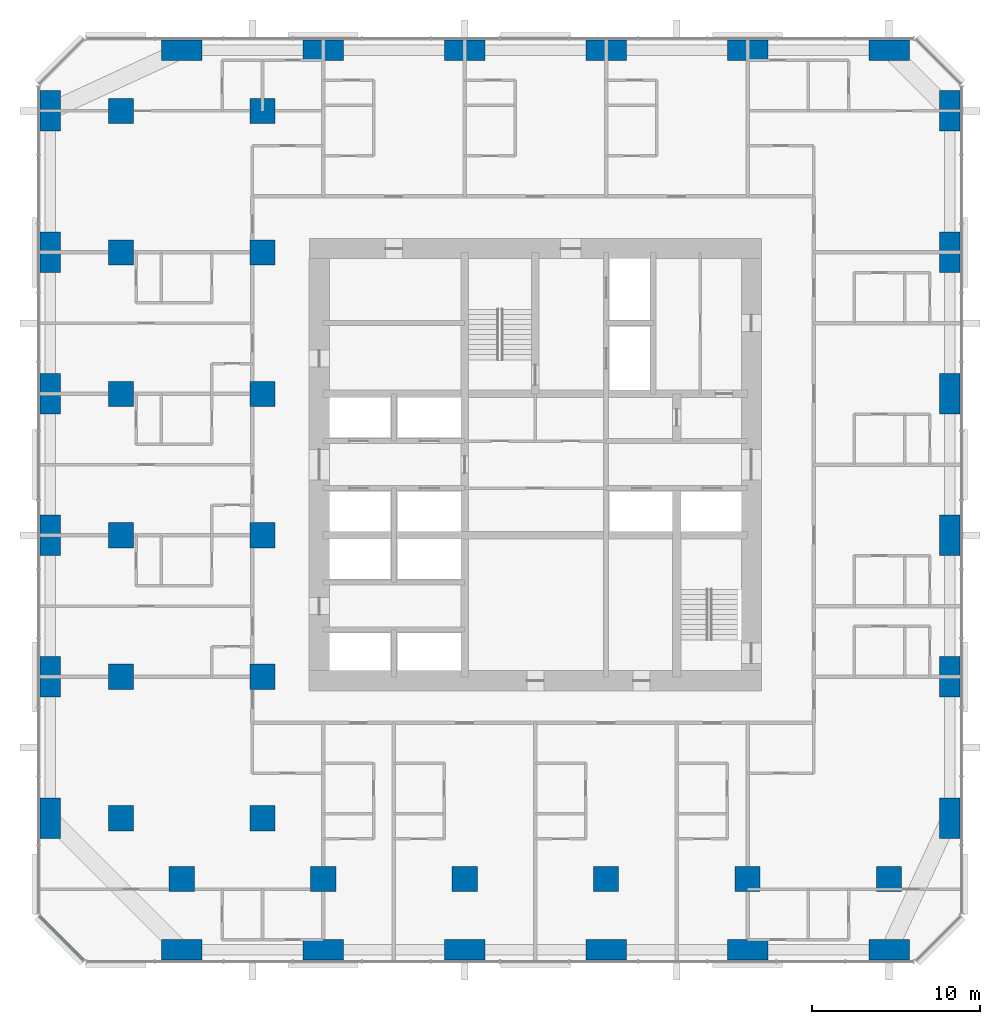
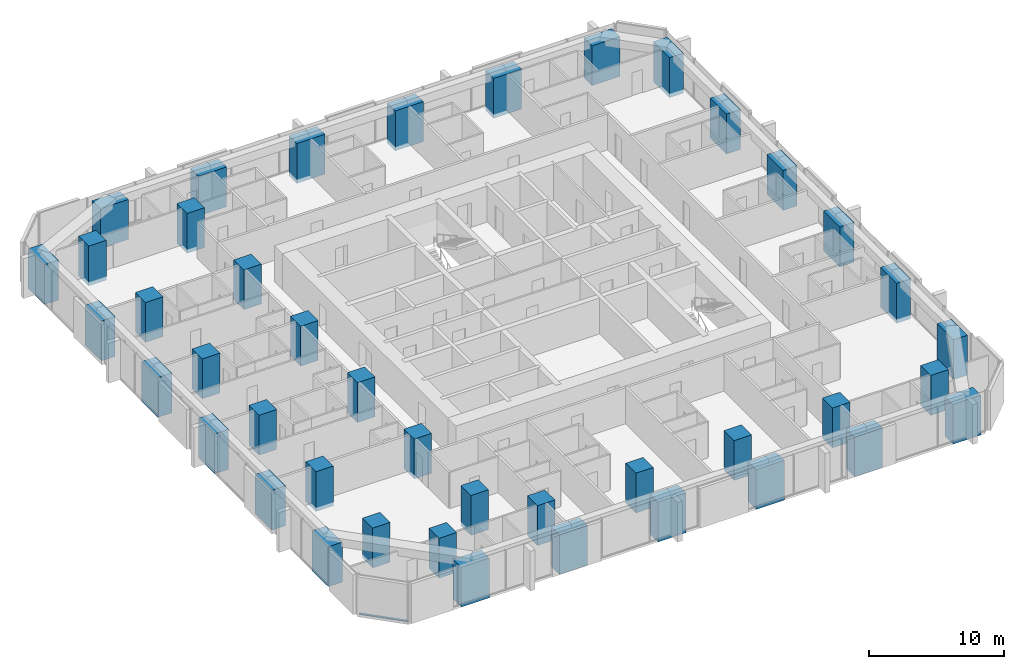
# One storey, part 1 of 14: 42 columns, 1 member, 1 element without a shape of its own.
"""IFC4 building model written with IfcOpenShell, lengths in metres."""

import ifcopenshell
import ifcopenshell.guid

model = None  # the IFC model being written
_history = None  # IfcOwnerHistory: only IFC2X3 demands one
_inside = {}  # id of a spatial element -> (the spatial element, [elements in it])
_under = {}  # id of a project, library or spatial element -> (it, [spatial elements below it])
_declared = {}  # id of a project -> (the project, [libraries it declares])
_typed = {}  # id of a type object -> (the type object, [elements of that type])
_made_of = {}  # id of a material, layer set ... -> (it, [elements and type objects made of it])


def new_model(schema):
    """Start an empty IFC model of exactly this schema.

    Asked for "IFC4X3", IfcOpenShell would pick the latest addendum, in which some entities
    have other attributes; the version numbers below select the first issue.
    IFC2X3 requires an IfcOwnerHistory on every rooted entity: one is made here for all.
    """
    global model, _history
    if schema == "IFC4X3":
        model = ifcopenshell.file(schema_version=(4, 3, 0, 0))
    else:
        model = ifcopenshell.file(schema=schema)
    _inside.clear()
    _under.clear()
    _declared.clear()
    _typed.clear()
    _made_of.clear()
    _history = None
    if model.schema == "IFC2X3":
        org = make("IfcOrganization", Name="unknown")
        user = make(
            "IfcPersonAndOrganization",
            ThePerson=make("IfcPerson", FamilyName="unknown"),
            TheOrganization=org,
        )
        app = make(
            "IfcApplication",
            ApplicationDeveloper=org,
            Version="unknown",
            ApplicationFullName="unknown",
            ApplicationIdentifier="unknown",
        )
        _history = make(
            "IfcOwnerHistory",
            OwningUser=user,
            OwningApplication=app,
            ChangeAction="ADDED",
            CreationDate=0,
        )
    return model


def make(cls, **values):
    """One entity of the class cls with the attributes given. An attribute that is None is left unset."""
    return model.create_entity(
        cls, **{name: value for name, value in values.items() if value is not None}
    )


def rooted(cls, **values):
    """An entity with a GlobalId (a new one), such as an element, a storey or a relation."""
    return make(cls, GlobalId=ifcopenshell.guid.new(), OwnerHistory=_history, **values)


def si_unit(unit_type, name, prefix=None):
    """IfcSIUnit, for example si_unit("LENGTHUNIT", "METRE", prefix="MILLI")."""
    return make("IfcSIUnit", UnitType=unit_type, Prefix=prefix, Name=name)


def assignment(units):
    """IfcUnitAssignment: the units of a project."""
    return None if units is None else make("IfcUnitAssignment", Units=units)


def point(xyz):
    """IfcCartesianPoint."""
    return None if xyz is None else make("IfcCartesianPoint", Coordinates=xyz)


def direction(xyz):
    """IfcDirection."""
    return None if xyz is None else make("IfcDirection", DirectionRatios=xyz)


def frame(location, z_axis=None, x_axis=None):
    """IfcAxis2Placement3D, a coordinate frame: its origin and axes. An axis left out is left unset."""
    return make(
        "IfcAxis2Placement3D",
        Location=point(location),
        Axis=direction(z_axis),
        RefDirection=direction(x_axis),
    )


def frame_2d(location, x_axis=None):
    """IfcAxis2Placement2D, a coordinate frame in the plane: its origin and x axis."""
    return make(
        "IfcAxis2Placement2D", Location=point(location), RefDirection=direction(x_axis)
    )


def origin():
    """The frame at (0, 0, 0) with its axes left unset."""
    return frame((0.0, 0.0, 0.0))


def origin_2d():
    """The frame at (0, 0) in the plane with its x axis left unset."""
    return frame_2d((0.0, 0.0))


def place(relative_to, where):
    """IfcLocalPlacement: puts the frame where relative to a parent placement (None: the world)."""
    return make(
        "IfcLocalPlacement", PlacementRelTo=relative_to, RelativePlacement=where
    )


def context(
    kind, dimensions, precision=None, world=None, true_north=None, identifier=None
):
    """IfcGeometricRepresentationContext, for example the 3D "Model" context."""
    return make(
        "IfcGeometricRepresentationContext",
        ContextIdentifier=identifier,
        ContextType=kind,
        CoordinateSpaceDimension=dimensions,
        Precision=precision,
        WorldCoordinateSystem=world,
        TrueNorth=true_north,
    )


def subcontext(parent, identifier, kind, view, scale=None):
    """IfcGeometricRepresentationSubContext, for example "Body" below "Model"."""
    return make(
        "IfcGeometricRepresentationSubContext",
        ContextIdentifier=identifier,
        ContextType=kind,
        ParentContext=parent,
        TargetScale=scale,
        TargetView=view,
    )


def project(units=None, contexts=None):
    """IfcProject with its units and contexts."""
    return rooted(
        "IfcProject",
        Name="project",
        RepresentationContexts=contexts,
        UnitsInContext=assignment(units),
    )


def spatial(cls, under=None, at=None, **own):
    """A site, building, storey or space (cls), placed at a placement, below another one or the project."""
    s = rooted(cls, ObjectPlacement=at, **own)
    if under is not None:
        _under.setdefault(under.id(), (under, []))[1].append(s)
    return s


def profile(cls, at=None, kind="AREA", **sizes):
    """A parametric profile (cls). Its sizes go by their IFC names, for example OverallWidth=200.0."""
    return make(cls, ProfileType=kind, Position=at, **sizes)


def rectangle(**sizes):
    """IfcRectangleProfileDef."""
    return profile("IfcRectangleProfileDef", **sizes)


def extrude(swept, where, along, depth):
    """IfcExtrudedAreaSolid: the profile swept, set in the frame where, extruded along a direction by depth."""
    return make(
        "IfcExtrudedAreaSolid",
        SweptArea=swept,
        Position=where,
        ExtrudedDirection=direction(along),
        Depth=depth,
    )


def shape(context_of_items, identifier, shape_type, items):
    """IfcShapeRepresentation: the items that make up one representation, for example the "Body"."""
    return make(
        "IfcShapeRepresentation",
        ContextOfItems=context_of_items,
        RepresentationIdentifier=identifier,
        RepresentationType=shape_type,
        Items=items,
    )


def material(Name=None, Category=None):
    """IfcMaterial."""
    return make("IfcMaterial", Name=Name, Category=Category)


def material_profile(
    of_material, cross_section, Name=None, Category=None, Priority=None
):
    """IfcMaterialProfile: a cross section and its material."""
    return make(
        "IfcMaterialProfile",
        Name=Name,
        Material=of_material,
        Profile=cross_section,
        Priority=Priority,
        Category=Category,
    )


def profile_set(profiles, Name=None, composite=None):
    """IfcMaterialProfileSet."""
    return make(
        "IfcMaterialProfileSet",
        Name=Name,
        MaterialProfiles=profiles,
        CompositeProfile=composite,
    )


def made_of(thing, what):
    """Note that an element or type object is made of a material, layer set ...; save() writes the relation."""
    if what is not None:
        _made_of.setdefault(what.id(), (what, []))[1].append(thing)
    return thing


def type_object(cls, material=None, **own):
    """A type object (cls), such as IfcWallType, which elements share."""
    return made_of(rooted(cls, **own), material)


def element(
    cls,
    number,
    at=None,
    inside=None,
    cuts=None,
    type_object=None,
    material=None,
    context=None,
    identifier="Body",
    shape_type=None,
    held_by="IfcProductDefinitionShape",
    body=None,
    shapes=None,
    **own,
):
    """One element of the class cls, such as IfcWall. Its Tag is "e" and its number.

    at: its placement. inside: the storey or other place that contains it. cuts: it is an
    opening in that element (IfcRelVoidsElement). A single representation is given by context,
    identifier, shape_type and body (its items); several are given by shapes. held_by: the class
    of the entity that holds the representations. save() writes the other relations.
    """
    e = rooted(cls, Tag="e%d" % number, ObjectPlacement=at, **own)
    if body is not None:
        shapes = [shape(context, identifier, shape_type, body)]
    if shapes is not None:
        e.Representation = make(held_by, Representations=shapes)
    if inside is not None:
        _inside.setdefault(inside.id(), (inside, []))[1].append(e)
    if cuts is not None:
        rooted(
            "IfcRelVoidsElement", RelatingBuildingElement=cuts, RelatedOpeningElement=e
        )
    if type_object is not None:
        _typed.setdefault(type_object.id(), (type_object, []))[1].append(e)
    return made_of(e, material)


def aggregate(whole, parts):
    """IfcRelAggregates: a whole, such as a stair, and the parts it consists of."""
    return rooted("IfcRelAggregates", RelatingObject=whole, RelatedObjects=parts)


def save(model, path):
    """Write the relations noted so far, then the file.

    IfcRelAggregates (storeys below a building ...), IfcRelContainedInSpatialStructure (elements
    in a storey), IfcRelDefinesByType, IfcRelAssociatesMaterial and IfcRelDeclares: one each for
    every whole, place, type object, material and project.
    """
    for whole, parts in _under.values():
        aggregate(whole, parts)
    for where, things in _inside.values():
        rooted(
            "IfcRelContainedInSpatialStructure",
            RelatedElements=things,
            RelatingStructure=where,
        )
    for kind, things in _typed.values():
        rooted("IfcRelDefinesByType", RelatedObjects=things, RelatingType=kind)
    for what, things in _made_of.values():
        rooted("IfcRelAssociatesMaterial", RelatedObjects=things, RelatingMaterial=what)
    for by, libraries in _declared.values():
        rooted("IfcRelDeclares", RelatingContext=by, RelatedDefinitions=libraries)
    model.write(path)


model = new_model("IFC4")

# Units and contexts
model_context = context("Model", 3, precision=1e-05, world=origin(), true_north=direction((0.0, 1.0)))
body_context = subcontext(model_context, "Body", "Model", "MODEL_VIEW")
ifc_project = project(units=[si_unit("LENGTHUNIT", "METRE"), si_unit("AREAUNIT", "SQUARE_METRE"), si_unit("VOLUMEUNIT", "CUBIC_METRE"), si_unit("PLANEANGLEUNIT", "RADIAN"), si_unit("MASSUNIT", "GRAM", prefix="KILO")], contexts=[model_context])

# Site, building, storey
site_placement = place(None, origin())
site = spatial("IfcSite", under=ifc_project, at=site_placement, CompositionType="ELEMENT")
building_placement = place(site_placement, origin())
building = spatial("IfcBuilding", under=site, at=building_placement, Name="Dunama Terrace Hotel", CompositionType="ELEMENT")
storey_placement = place(building_placement, frame((0.0, 0.0, 108.0)))
storey = spatial("IfcBuildingStorey", under=building, at=storey_placement, Name="L27", CompositionType="ELEMENT", Elevation=108.0)

# Columns
ifc_material_1 = material(Name="Concrete C60/75", Category="concrete")
ifc_material_profile_1 = material_profile(ifc_material_1, rectangle(XDim=1.199951171875, YDim=2.39990234375, at=origin_2d()), Name="RC 1200x2400")
ifc_profile_set_1 = profile_set([ifc_material_profile_1], Name="Concrete C60/75")
column_type_1 = type_object("IfcColumnType", Name="Column RC 1200x2400", PredefinedType="COLUMN", material=ifc_profile_set_1)
for number, where, z_axis, x_axis, name in (
    (1, (0.60009765625, 8.39990234375, -0.35009765625), (0.0, 0.0, 1.0), (1.0, 0.0, 0.0), "Column L27 +0.6/+8.4"),
    (2, (0.60009765625, 16.800048828125, -0.35009765625), (0.0, 0.0, 1.0), (1.0, 0.0, 0.0), "Column L27 +0.6/+16.8"),
    (3, (0.60009765625, 25.199951171875, -0.35009765625), (0.0, 0.0, 1.0), (1.0, 0.0, 0.0), "Column L27 +0.6/+25.2"),
    (4, (0.60009765625, 33.60009765625, -0.35009765625), (0.0, 0.0, 1.0), (1.0, 0.0, 0.0), "Column L27 +0.6/+33.6"),
    (5, (0.60009765625, 42.0, -0.35009765625), (0.0, 0.0, 1.0), (1.0, 0.0, 0.0), "Column L27 +0.6/+42.0"),
    (6, (0.60009765625, 50.39990234375, -0.35009765625), (0.0, 0.0, 1.0), (1.0, 0.0, 0.0), "Column L27 +0.6/+50.4"),
    (7, (54.0, 8.39990234375, -0.35009765625), (0.0, 0.0, 1.0), (1.0, 0.0, 0.0), "Column L27 +54.0/+8.4"),
    (8, (54.0, 16.800048828125, -0.35009765625), (0.0, 0.0, 1.0), (1.0, 0.0, 0.0), "Column L27 +54.0/+16.8"),
    (9, (54.0, 25.199951171875, -0.35009765625), (0.0, 0.0, 1.0), (1.0, 0.0, 0.0), "Column L27 +54.0/+25.2"),
    (10, (54.0, 33.60009765625, -0.35009765625), (0.0, 0.0, 1.0), (1.0, 0.0, 0.0), "Column L27 +54.0/+33.6"),
    (11, (54.0, 42.0, -0.35009765625), (0.0, 0.0, 1.0), (1.0, 0.0, 0.0), "Column L27 +54.0/+42.0"),
    (12, (54.0, 50.39990234375, -0.35009765625), (0.0, 0.0, 1.0), (1.0, 0.0, 0.0), "Column L27 +54.0/+50.4"),
):
    element("IfcColumn", number, at=place(storey_placement, frame(where, z_axis=z_axis, x_axis=x_axis)), inside=storey, type_object=column_type_1, Name=name, PredefinedType="COLUMN", context=body_context, shape_type="SweptSolid", body=[
        extrude(rectangle(XDim=1.199951171875, YDim=2.39990234375, at=origin_2d()), origin(), (0.0, 0.0, 1.0), 3.60009765625),
    ])
ifc_material_2 = material(Name="Concrete C60/75", Category="concrete")
ifc_material_profile_2 = material_profile(ifc_material_2, rectangle(XDim=1.5, YDim=1.5, at=origin_2d()), Name="RC 1500x1500")
ifc_profile_set_2 = profile_set([ifc_material_profile_2], Name="Concrete C60/75")
column_type_2 = type_object("IfcColumnType", Name="Column RC 1500x1500", PredefinedType="COLUMN", material=ifc_profile_set_2)
for number, where, z_axis, x_axis, name in (
    (13, (4.800048828125, 8.39990234375, -0.35009765625), (0.0, 0.0, 1.0), (1.0, 0.0, 0.0), "Column L27 +4.8/+8.4"),
    (14, (4.800048828125, 16.800048828125, -0.35009765625), (0.0, 0.0, 1.0), (1.0, 0.0, 0.0), "Column L27 +4.8/+16.8"),
    (15, (4.800048828125, 25.199951171875, -0.35009765625), (0.0, 0.0, 1.0), (1.0, 0.0, 0.0), "Column L27 +4.8/+25.2"),
    (16, (4.800048828125, 33.60009765625, -0.35009765625), (0.0, 0.0, 1.0), (1.0, 0.0, 0.0), "Column L27 +4.8/+33.6"),
    (17, (4.800048828125, 42.0, -0.35009765625), (0.0, 0.0, 1.0), (1.0, 0.0, 0.0), "Column L27 +4.8/+42.0"),
    (18, (4.800048828125, 50.39990234375, -0.35009765625), (0.0, 0.0, 1.0), (1.0, 0.0, 0.0), "Column L27 +4.8/+50.4"),
    (19, (8.39990234375, 4.800048828125, -0.35009765625), (0.0, 0.0, 1.0), (1.0, 0.0, 0.0), "Column L27 +8.4/+4.8"),
    (20, (13.199951171875, 8.39990234375, -0.35009765625), (0.0, 0.0, 1.0), (1.0, 0.0, 0.0), "Column L27 +13.2/+8.4"),
    (21, (13.199951171875, 16.800048828125, -0.35009765625), (0.0, 0.0, 1.0), (1.0, 0.0, 0.0), "Column L27 +13.2/+16.8"),
    (22, (13.199951171875, 25.199951171875, -0.35009765625), (0.0, 0.0, 1.0), (1.0, 0.0, 0.0), "Column L27 +13.2/+25.2"),
    (23, (13.199951171875, 33.60009765625, -0.35009765625), (0.0, 0.0, 1.0), (1.0, 0.0, 0.0), "Column L27 +13.2/+33.6"),
    (24, (13.199951171875, 42.0, -0.35009765625), (0.0, 0.0, 1.0), (1.0, 0.0, 0.0), "Column L27 +13.2/+42.0"),
    (25, (13.199951171875, 50.39990234375, -0.35009765625), (0.0, 0.0, 1.0), (1.0, 0.0, 0.0), "Column L27 +13.2/+50.4"),
    (26, (16.800048828125, 4.800048828125, -0.35009765625), (0.0, 0.0, 1.0), (1.0, 0.0, 0.0), "Column L27 +16.8/+4.8"),
    (27, (25.199951171875, 4.800048828125, -0.35009765625), (0.0, 0.0, 1.0), (1.0, 0.0, 0.0), "Column L27 +25.2/+4.8"),
    (28, (33.60009765625, 4.800048828125, -0.35009765625), (0.0, 0.0, 1.0), (1.0, 0.0, 0.0), "Column L27 +33.6/+4.8"),
    (29, (42.0, 4.800048828125, -0.35009765625), (0.0, 0.0, 1.0), (1.0, 0.0, 0.0), "Column L27 +42.0/+4.8"),
    (30, (50.39990234375, 4.800048828125, -0.35009765625), (0.0, 0.0, 1.0), (1.0, 0.0, 0.0), "Column L27 +50.4/+4.8"),
):
    element("IfcColumn", number, at=place(storey_placement, frame(where, z_axis=z_axis, x_axis=x_axis)), inside=storey, type_object=column_type_2, Name=name, PredefinedType="COLUMN", context=body_context, shape_type="SweptSolid", body=[
        extrude(rectangle(XDim=1.5, YDim=1.5, at=origin_2d()), origin(), (0.0, 0.0, 1.0), 3.60009765625),
    ])
ifc_material_3 = material(Name="Concrete C60/75", Category="concrete")
ifc_material_profile_3 = material_profile(ifc_material_3, rectangle(XDim=2.39990234375, YDim=1.199951171875, at=origin_2d()), Name="RC 2400x1200")
ifc_profile_set_3 = profile_set([ifc_material_profile_3], Name="Concrete C60/75")
column_type_3 = type_object("IfcColumnType", Name="Column RC 2400x1200", PredefinedType="COLUMN", material=ifc_profile_set_3)
for number, where, z_axis, x_axis, name in (
    (31, (8.39990234375, 0.60009765625, -0.35009765625), (0.0, 0.0, 1.0), (1.0, 0.0, 0.0), "Column L27 +8.4/+0.6"),
    (32, (8.39990234375, 54.0, -0.35009765625), (0.0, 0.0, 1.0), (1.0, 0.0, 0.0), "Column L27 +8.4/+54.0"),
    (33, (16.800048828125, 0.60009765625, -0.35009765625), (0.0, 0.0, 1.0), (1.0, 0.0, 0.0), "Column L27 +16.8/+0.6"),
    (34, (16.800048828125, 54.0, -0.35009765625), (0.0, 0.0, 1.0), (1.0, 0.0, 0.0), "Column L27 +16.8/+54.0"),
    (35, (25.199951171875, 0.60009765625, -0.35009765625), (0.0, 0.0, 1.0), (1.0, 0.0, 0.0), "Column L27 +25.2/+0.6"),
    (36, (25.199951171875, 54.0, -0.35009765625), (0.0, 0.0, 1.0), (1.0, 0.0, 0.0), "Column L27 +25.2/+54.0"),
    (37, (33.60009765625, 0.60009765625, -0.35009765625), (0.0, 0.0, 1.0), (1.0, 0.0, 0.0), "Column L27 +33.6/+0.6"),
    (38, (33.60009765625, 54.0, -0.35009765625), (0.0, 0.0, 1.0), (1.0, 0.0, 0.0), "Column L27 +33.6/+54.0"),
    (39, (42.0, 0.60009765625, -0.35009765625), (0.0, 0.0, 1.0), (1.0, 0.0, 0.0), "Column L27 +42.0/+0.6"),
    (40, (42.0, 54.0, -0.35009765625), (0.0, 0.0, 1.0), (1.0, 0.0, 0.0), "Column L27 +42.0/+54.0"),
    (41, (50.39990234375, 0.60009765625, -0.35009765625), (0.0, 0.0, 1.0), (1.0, 0.0, 0.0), "Column L27 +50.4/+0.6"),
    (42, (50.39990234375, 54.0, -0.35009765625), (0.0, 0.0, 1.0), (1.0, 0.0, 0.0), "Column L27 +50.4/+54.0"),
):
    element("IfcColumn", number, at=place(storey_placement, frame(where, z_axis=z_axis, x_axis=x_axis)), inside=storey, type_object=column_type_3, Name=name, PredefinedType="COLUMN", context=body_context, shape_type="SweptSolid", body=[
        extrude(rectangle(XDim=2.39990234375, YDim=1.199951171875, at=origin_2d()), origin(), (0.0, 0.0, 1.0), 3.60009765625),
    ])

# Curtain wall, member
ifc_material_4 = material(Name="Aluminium curtain wall system", Category="aluminium")
curtain_wall_type = type_object("IfcCurtainWallType", Name="Unitised fritted glass wall CW-B", PredefinedType="NOTDEFINED", material=ifc_material_4)
curtain_wall_placement = place(storey_placement, origin())
curtain_wall = element("IfcCurtainWall", 43, at=curtain_wall_placement, inside=storey, type_object=curtain_wall_type, Name="Unitised fritted glass wall CW-B L27", PredefinedType="NOTDEFINED")
ifc_material_5 = material(Name="Aluminium transom", Category="aluminium")
ifc_material_profile_4 = material_profile(ifc_material_5, rectangle(XDim=0.179931640625, YDim=0.080078125, at=origin_2d()), Name="CWB TRANSOM 180X80")
ifc_profile_set_4 = profile_set([ifc_material_profile_4], Name="Aluminium transom")
member_type = type_object("IfcMemberType", Name="CWB transom 180x80", PredefinedType="USERDEFINED", material=ifc_profile_set_4)
member_placement = place(storey_placement, frame((-0.031982421875, 2.575927734375, 0.0400390625), z_axis=(0.707106781187, -0.707106781187, 0.0), x_axis=(0.707106781187, 0.707106781187, 0.0)))
member = element("IfcMember", 44, at=member_placement, type_object=member_type, Name="CWB transom", ObjectType="TRANSOM", PredefinedType="USERDEFINED", context=body_context, shape_type="SweptSolid", body=[
    extrude(rectangle(XDim=0.179931640625, YDim=0.080078125, at=origin_2d()), origin(), (0.0, 0.0, 1.0), 3.688232421875),
])
aggregate(curtain_wall, [member])

save(model, "model.ifc")
